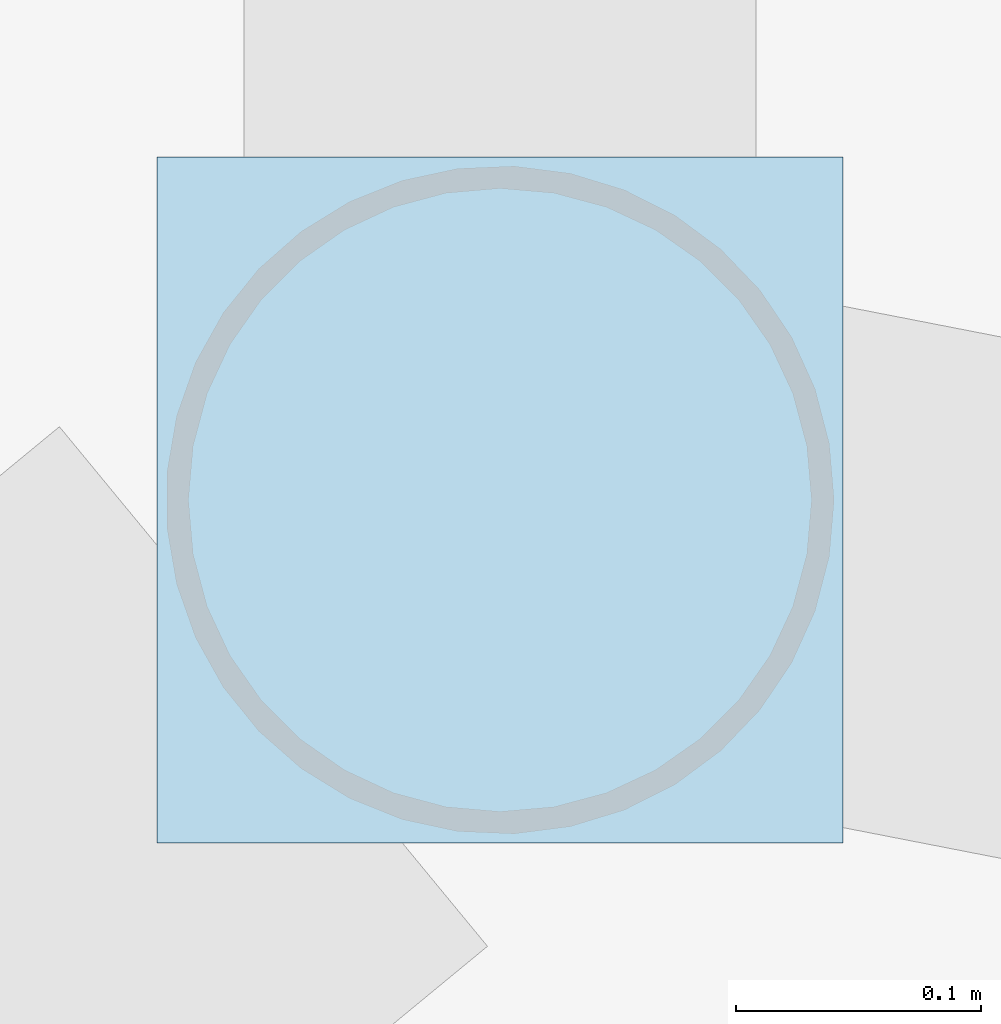
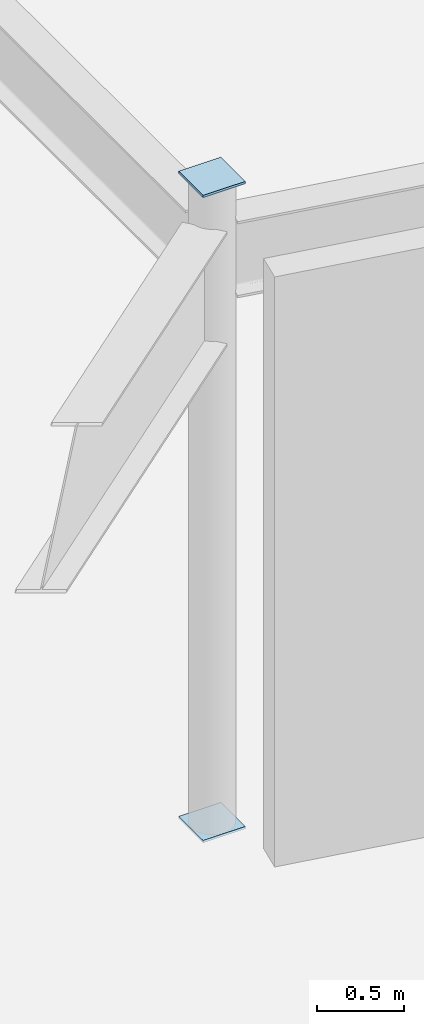
# One storey, part 46 of 69: 2 plates.
"""IFC4 building model written with IfcOpenShell, lengths in metres."""

from ifc_helpers import new_model, si_unit, direction, frame, origin, origin_2d, place, context, subcontext, project, spatial, rectangle, extrude, material, layer, layer_set, type_object, element, save


model = new_model("IFC4")

# Units and contexts
model_context = context("Model", 3, precision=1e-05, world=origin(), true_north=direction((0.0, 1.0)))
body_context = subcontext(model_context, "Body", "Model", "MODEL_VIEW")
ifc_project = project(units=[si_unit("LENGTHUNIT", "METRE"), si_unit("AREAUNIT", "SQUARE_METRE"), si_unit("VOLUMEUNIT", "CUBIC_METRE"), si_unit("PLANEANGLEUNIT", "RADIAN"), si_unit("MASSUNIT", "GRAM", prefix="KILO")], contexts=[model_context])

# Site, building, storey
site_placement = place(None, origin())
site = spatial("IfcSite", under=ifc_project, at=site_placement, CompositionType="ELEMENT")
building_placement = place(site_placement, origin())
building = spatial("IfcBuilding", under=site, at=building_placement, Name="Sarnbrook Museum", CompositionType="ELEMENT")
storey_placement = place(building_placement, frame((0.0, 0.0, 14.60009765625)))
storey = spatial("IfcBuildingStorey", under=building, at=storey_placement, Name="L03", CompositionType="ELEMENT", Elevation=14.60009765625)

# Plates
ifc_material = material(Name="Structural Steel Grade 350L0 (AS/NZS 3678, fy = 340 MPa for 20 < t <= 40 mm)", Category="steel")
ifc_layer = layer(ifc_material, 0.01611328125)
ifc_layer_set = layer_set([ifc_layer], Name="Structural Steel Grade 350L0 (AS/NZS 3678, fy = 340 MPa for 20 < t <= 40 mm)")
plate_type = type_object("IfcPlateType", Name="EndCapPlate_CAP273", PredefinedType="USERDEFINED", material=ifc_layer_set)
for number, where, z_axis, x_axis, name in (
    (1, (132.800048828125, 74.405029296875, -0.01611328125), (0.0, 0.0, 1.0), (1.0, 0.0, 0.0), "Hollow End Cap Plate COL:L03:V1R2-0-1"),
    (2, (132.800048828125, 74.405029296875, 4.499755859375), (0.0, 0.0, 1.0), (1.0, 0.0, 0.0), "Hollow End Cap Plate COL:L03:V1R2-0-2"),
):
    element("IfcPlate", number, at=place(storey_placement, frame(where, z_axis=z_axis, x_axis=x_axis)), inside=storey, type_object=plate_type, Name=name, ObjectType="END CAP PLATE", PredefinedType="USERDEFINED", context=body_context, shape_type="SweptSolid", body=[
        extrude(rectangle(XDim=0.280029296875, YDim=0.280029296875, at=origin_2d()), origin(), (0.0, 0.0, 1.0), 0.01611328125),
    ])

save(model, "model.ifc")
